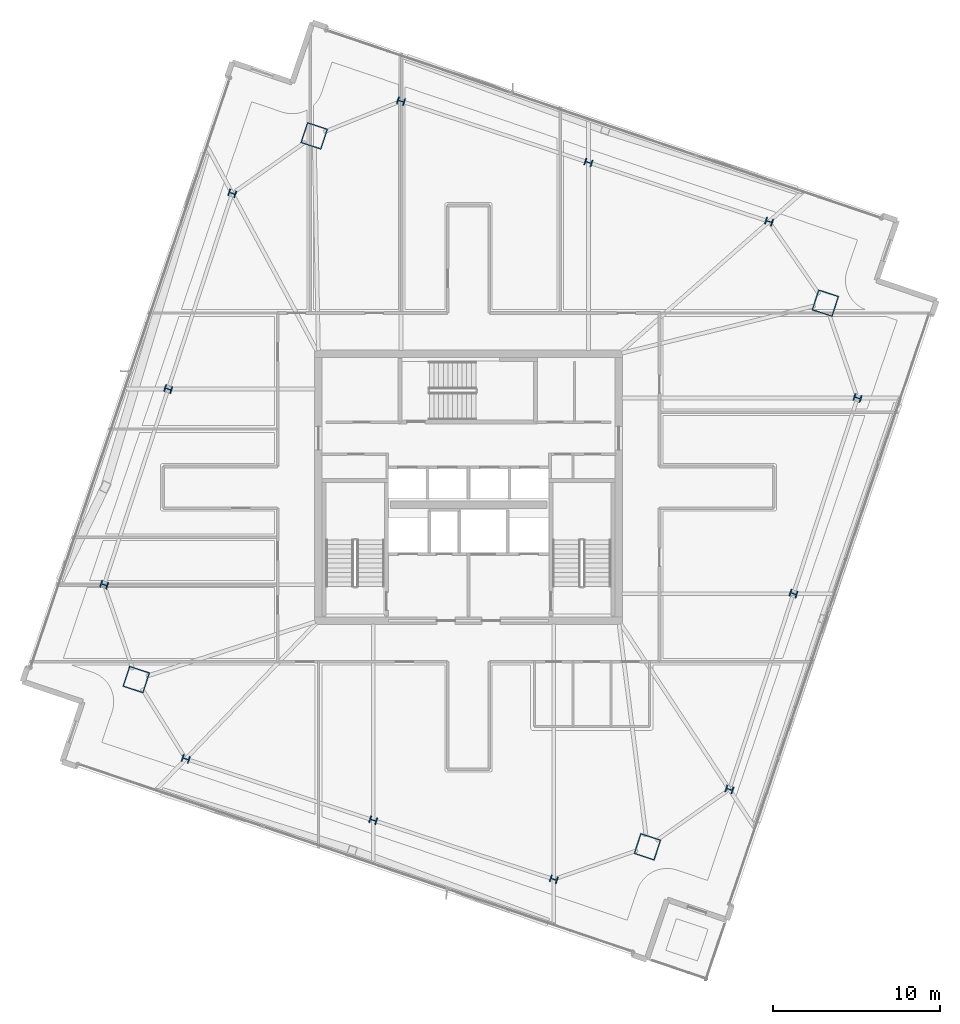
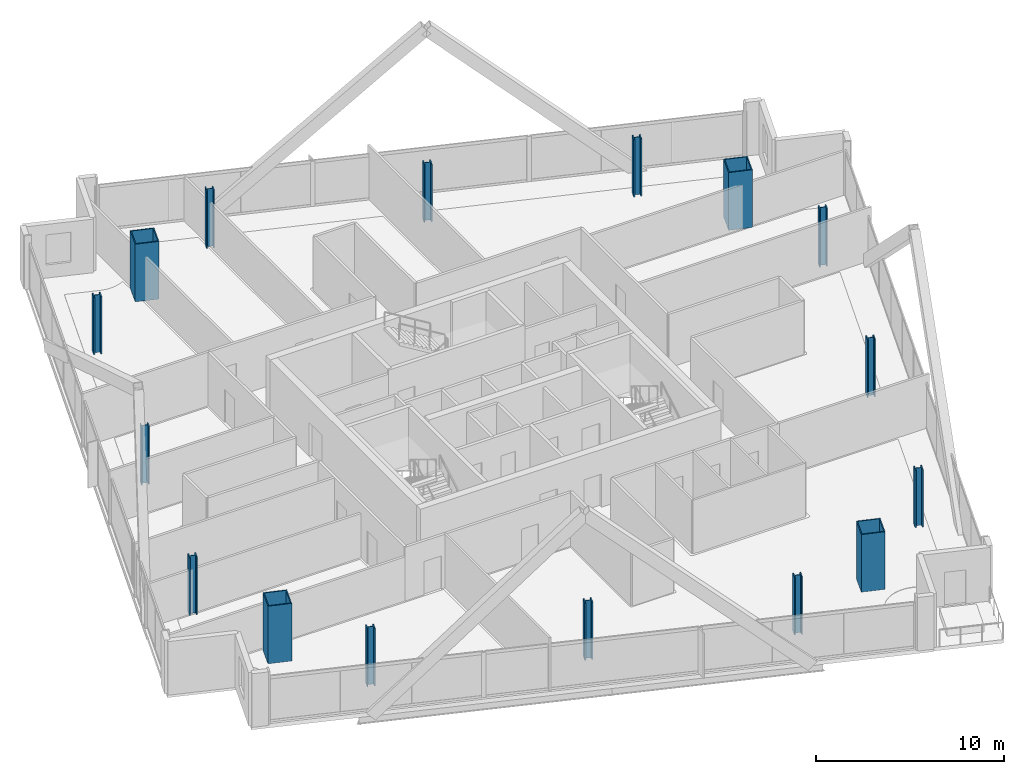
# One storey, part 1 of 29: 16 columns.
"""IFC4 building model written with IfcOpenShell, lengths in metres."""

from ifc_helpers import new_model, si_unit, direction, frame, origin, origin_2d, place, context, subcontext, project, spatial, hollow_rectangle, i_section, extrude, material, material_profile, profile_set, type_object, element, save


model = new_model("IFC4")

# Units and contexts
model_context = context("Model", 3, precision=1e-05, world=origin(), true_north=direction((0.0, 1.0)))
body_context = subcontext(model_context, "Body", "Model", "MODEL_VIEW")
ifc_project = project(units=[si_unit("LENGTHUNIT", "METRE"), si_unit("AREAUNIT", "SQUARE_METRE"), si_unit("VOLUMEUNIT", "CUBIC_METRE"), si_unit("PLANEANGLEUNIT", "RADIAN"), si_unit("MASSUNIT", "GRAM", prefix="KILO")], contexts=[model_context])

# Site, building, storey
site_placement = place(None, origin())
site = spatial("IfcSite", under=ifc_project, at=site_placement, CompositionType="ELEMENT")
building_placement = place(site_placement, origin())
building = spatial("IfcBuilding", under=site, at=building_placement, Name="Haldenkirk Collegiate Tower", CompositionType="ELEMENT")
storey_placement = place(building_placement, frame((0.0, 0.0, 267.449951171875)))
storey = spatial("IfcBuildingStorey", under=building, at=storey_placement, Name="L67", CompositionType="ELEMENT", Elevation=267.449951171875)

# Columns
ifc_material_1 = material(Name="Steel ASTM A913 Grade 65", Category="steel")
ifc_material_profile_1 = material_profile(ifc_material_1, i_section(OverallWidth=0.416015625, OverallDepth=0.445068359375, WebThickness=0.0390625, FlangeThickness=0.062744140625, at=origin_2d()), Name="W14X342")
ifc_profile_set_1 = profile_set([ifc_material_profile_1], Name="Steel ASTM A913 Grade 65")
column_type_1 = type_object("IfcColumnType", Name="COL-INT-W14X342", PredefinedType="COLUMN", material=ifc_profile_set_1)
for number, where, z_axis, x_axis, name in (
    (1, (51.64306640625, 7.888671875, 0.0), (0.0, 0.0, 1.0), (0.311008203279, 0.950407227189, 0.0), "L67 perimeter gravity column PC-S1"),
    (2, (55.4833984375, 19.624267578125, 0.0), (0.0, 0.0, 1.0), (0.311008203279, 0.950407227189, 0.0), "L67 perimeter gravity column PC-S2"),
    (3, (59.32373046875, 31.360107421875, 0.0), (0.0, 0.0, 1.0), (0.311008203279, 0.950407227189, 0.0), "L67 perimeter gravity column PC-S3"),
    (4, (54.01806640625, 41.9365234375, 0.0), (0.0, 0.0, 1.0), (0.311008203279, 0.950407227189, 0.0), "L67 perimeter gravity column PC-E1"),
    (5, (43.18994140625, 45.47998046875, 0.0), (0.0, 0.0, 1.0), (0.311008203279, 0.950407227189, 0.0), "L67 perimeter gravity column PC-E2"),
    (6, (31.949462890625, 49.158203125, 0.0), (0.0, 0.0, 1.0), (0.311008203279, 0.950407227189, 0.0), "L67 perimeter gravity column PC-E3"),
    (7, (21.830078125, 43.629150390625, 0.0), (0.0, 0.0, 1.0), (0.311008203279, 0.950407227189, 0.0), "L67 perimeter gravity column PC-N1"),
    (8, (17.98974609375, 31.8935546875, 0.0), (0.0, 0.0, 1.0), (0.311008203279, 0.950407227189, 0.0), "L67 perimeter gravity column PC-N2"),
    (9, (14.1494140625, 20.157958984375, 0.0), (0.0, 0.0, 1.0), (0.311008203279, 0.950407227189, 0.0), "L67 perimeter gravity column PC-N3"),
    (10, (19.042724609375, 9.71630859375, 0.0), (0.0, 0.0, 1.0), (0.311008203279, 0.950407227189, 0.0), "L67 perimeter gravity column PC-W1"),
    (11, (30.283203125, 6.0380859375, 0.0), (0.0, 0.0, 1.0), (0.311008203279, 0.950407227189, 0.0), "L67 perimeter gravity column PC-W2"),
    (12, (41.111083984375, 2.49462890625, 0.0), (0.0, 0.0, 1.0), (0.311008203279, 0.950407227189, 0.0), "L67 perimeter gravity column PC-W3"),
):
    element("IfcColumn", number, at=place(storey_placement, frame(where, z_axis=z_axis, x_axis=x_axis)), inside=storey, type_object=column_type_1, Name=name, PredefinedType="COLUMN", context=body_context, shape_type="SweptSolid", body=[
        extrude(i_section(OverallWidth=0.416015625, OverallDepth=0.445068359375, WebThickness=0.0390625, FlangeThickness=0.062744140625, at=origin_2d()), origin(), (0.0, 0.0, 1.0), 3.75),
    ])
ifc_material_2 = material(Name="Steel ASTM A572 Grade 50", Category="steel")
ifc_material_profile_2 = material_profile(ifc_material_2, hollow_rectangle(XDim=1.300048828125, YDim=1.300048828125, WallThickness=0.06005859375, at=origin_2d()), Name="BOX1300X1300X60")
ifc_profile_set_2 = profile_set([ifc_material_profile_2], Name="Steel ASTM A572 Grade 50")
column_type_2 = type_object("IfcColumnType", Name="COL-MEGA-BOX1300X1300X60", PredefinedType="COLUMN", material=ifc_profile_set_2)
for number, where, z_axis, x_axis, name in (
    (13, (46.72802734375, 4.444580078125, 0.0), (0.0, 0.0, 1.0), (0.311008203279, 0.950407227189, 0.0), "L67 corner mega-column MC1"),
    (14, (57.395751953125, 37.04345703125, 0.0), (0.0, 0.0, 1.0), (0.311008203279, 0.950407227189, 0.0), "L67 corner mega-column MC2"),
    (15, (26.7451171875, 47.073486328125, 0.0), (0.0, 0.0, 1.0), (0.311008203279, 0.950407227189, 0.0), "L67 corner mega-column MC3"),
    (16, (16.077392578125, 14.474609375, 0.0), (0.0, 0.0, 1.0), (0.311008203279, 0.950407227189, 0.0), "L67 corner mega-column MC4"),
):
    element("IfcColumn", number, at=place(storey_placement, frame(where, z_axis=z_axis, x_axis=x_axis)), inside=storey, type_object=column_type_2, Name=name, PredefinedType="COLUMN", context=body_context, shape_type="SweptSolid", body=[
        extrude(hollow_rectangle(XDim=1.300048828125, YDim=1.300048828125, WallThickness=0.06005859375, at=origin_2d()), origin(), (0.0, 0.0, 1.0), 3.75),
    ])

save(model, "model.ifc")
